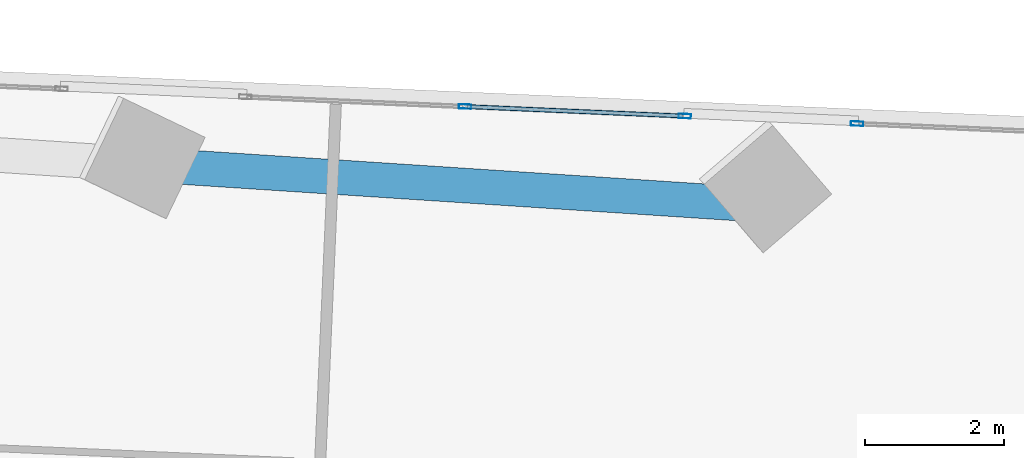
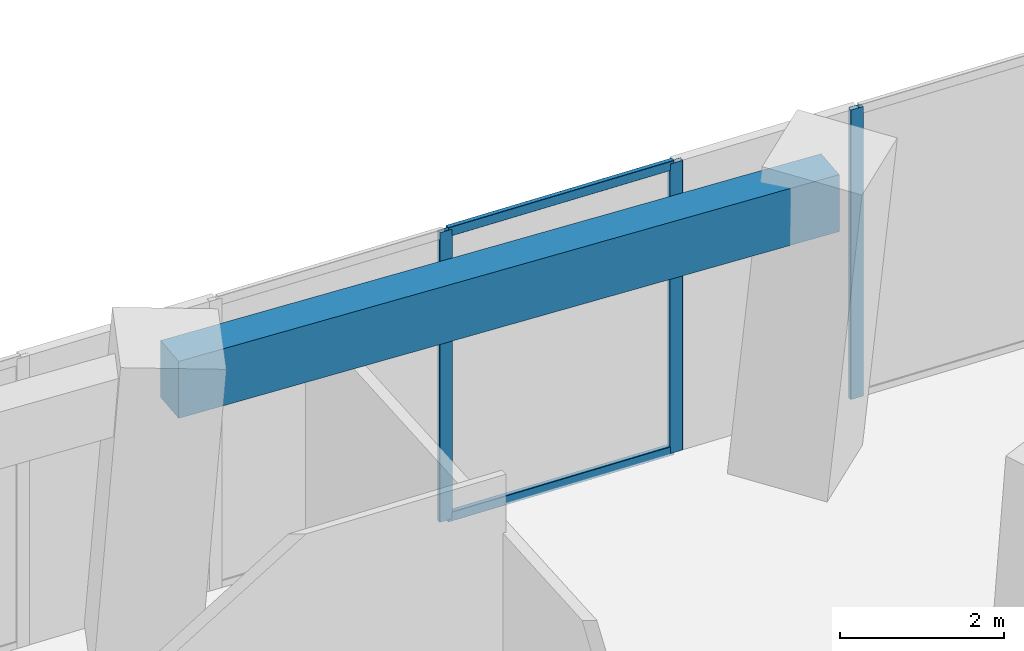
# One storey, part 18 of 27: 5 members, 1 beam, 2 elements without a shape of their own.
"""IFC4 building model written with IfcOpenShell, lengths in metres."""

from ifc_helpers import new_model, si_unit, direction, frame, origin, origin_2d, place, context, subcontext, project, spatial, rectangle, hollow_rectangle, extrude, source, transform, mapped, material, material_profile, profile_set, type_object, element, aggregate, save


model = new_model("IFC4")

# Units and contexts
model_context = context("Model", 3, precision=1e-05, world=origin(), true_north=direction((0.0, 1.0)))
body_context = subcontext(model_context, "Body", "Model", "MODEL_VIEW")
ifc_project = project(units=[si_unit("LENGTHUNIT", "METRE"), si_unit("AREAUNIT", "SQUARE_METRE"), si_unit("VOLUMEUNIT", "CUBIC_METRE"), si_unit("PLANEANGLEUNIT", "RADIAN"), si_unit("MASSUNIT", "GRAM", prefix="KILO")], contexts=[model_context])

# Site, building, storey
site_placement = place(None, origin())
site = spatial("IfcSite", under=ifc_project, at=site_placement, CompositionType="ELEMENT")
building_placement = place(site_placement, origin())
building = spatial("IfcBuilding", under=site, at=building_placement, Name="Torre Montelarca", CompositionType="ELEMENT")
storey_placement = place(building_placement, frame((0.0, 0.0, 37.60009765625)))
storey = spatial("IfcBuildingStorey", under=building, at=storey_placement, Name="L08", CompositionType="ELEMENT", Elevation=37.60009765625)

# Beam
ifc_material_1 = material(Name="Concrete C55/67", Category="concrete")
ifc_material_profile_1 = material_profile(ifc_material_1, rectangle(XDim=0.5, YDim=0.85009765625, at=origin_2d()), Name="RCB500X850", Category="concrete")
ifc_profile_set_1 = profile_set([ifc_material_profile_1], Name="Concrete C55/67")
beam_type = type_object("IfcBeamType", Name="BM-SP-RC850-EXT", PredefinedType="SPANDREL", material=ifc_profile_set_1)
shared_shape_1 = source(origin(), body_context, "Body", "SweptSolid", [
    extrude(rectangle(XDim=0.5, YDim=0.85009765625, at=origin_2d()), origin(), (0.0, 0.0, 1.0), 9.0),
])
beam_placement = place(storey_placement, frame((27.97900390625, 46.7578125, 4.135009765625), z_axis=(0.99785895206, -0.065402689504, 0.0), x_axis=(0.065402689504, 0.99785895206, 0.0)))
element("IfcBeam", 1, at=beam_placement, inside=storey, type_object=beam_type, Name="L08 Grid Girder X 27.0-36.0 at Y=47.1", PredefinedType="SPANDREL", context=body_context, shape_type="MappedRepresentation", body=[
    mapped(shared_shape_1, transform((0.0, 0.0, 0.0), scale=1.0)),
])

# Curtain wall, member
ifc_material_2 = material(Name="Insulated low-E laminated glass", Category="glass")
curtain_wall_type = type_object("IfcCurtainWallType", Name="CW-SYS-Z1", PredefinedType="USERDEFINED", material=ifc_material_2)
curtain_wall_1_placement = place(storey_placement, origin())
curtain_wall_1 = element("IfcCurtainWall", 2, at=curtain_wall_1_placement, inside=storey, type_object=curtain_wall_type, Name="L08 Curtain Wall Run CW-T3-L08-E08-B1", ObjectType="UNITISED GLAZING", PredefinedType="USERDEFINED")
ifc_material_3 = material(Name="Anodised aluminium AA 6063-T6", Category="aluminium")
ifc_material_profile_2 = material_profile(ifc_material_3, hollow_rectangle(XDim=0.06494140625, YDim=0.179931640625, WallThickness=0.00390625, InnerFilletRadius=0.00390625, OuterFilletRadius=0.008056640625, at=origin_2d()), Name="ALU65X180X4", Category="aluminium")
ifc_profile_set_2 = profile_set([ifc_material_profile_2], Name="Anodised aluminium AA 6063-T6")
member_type_1 = type_object("IfcMemberType", Name="CWM-ALU180", PredefinedType="MULLION", material=ifc_profile_set_2)
shared_shape_2 = source(origin(), body_context, "Body", "SweptSolid", [
    extrude(hollow_rectangle(XDim=0.06494140625, YDim=0.179931640625, WallThickness=0.00390625, InnerFilletRadius=0.00390625, OuterFilletRadius=0.008056640625, at=origin_2d()), origin(), (0.0, 0.0, 1.0), 4.31982421875),
])
member_1_placement = place(storey_placement, frame((38.011962890625, 47.364501953125, 0.0), z_axis=(0.0, 0.0, 1.0), x_axis=(-0.043617607028, -0.999048299311, 0.0)))
member_1 = element("IfcMember", 3, at=member_1_placement, type_object=member_type_1, Name="CW mullion 3", PredefinedType="MULLION", context=body_context, shape_type="MappedRepresentation", body=[
    mapped(shared_shape_2, transform((0.0, 0.0, 0.0), scale=1.0)),
])
aggregate(curtain_wall_1, [member_1])

# Curtain wall, members
curtain_wall_2_placement = place(storey_placement, origin())
curtain_wall_2 = element("IfcCurtainWall", 4, at=curtain_wall_2_placement, inside=storey, type_object=curtain_wall_type, Name="L08 Curtain Wall Run CW-T3-L08-E08-B2", ObjectType="UNITISED GLAZING", PredefinedType="USERDEFINED")
member_2_placement = place(storey_placement, frame((35.525634765625, 47.472900390625, 0.0), z_axis=(0.0, 0.0, 1.0), x_axis=(-0.043614580368, -0.999048431448, 0.0)))
member_2 = element("IfcMember", 5, at=member_2_placement, type_object=member_type_1, Name="CW mullion 1", PredefinedType="MULLION", context=body_context, shape_type="MappedRepresentation", body=[
    mapped(shared_shape_2, transform((0.0, 0.0, 0.0), scale=1.0)),
])
member_3_placement = place(storey_placement, frame((32.35595703125, 47.611328125, 0.0), z_axis=(0.0, 0.0, 1.0), x_axis=(-0.043614580368, -0.999048431448, 0.0)))
member_3 = element("IfcMember", 6, at=member_3_placement, type_object=member_type_1, Name="CW mullion 2", PredefinedType="MULLION", context=body_context, shape_type="MappedRepresentation", body=[
    mapped(shared_shape_2, transform((0.0, 0.0, 0.0), scale=1.0)),
])
ifc_material_profile_3 = material_profile(ifc_material_3, hollow_rectangle(XDim=0.06494140625, YDim=0.139892578125, WallThickness=0.00390625, InnerFilletRadius=0.00390625, OuterFilletRadius=0.008056640625, at=origin_2d()), Name="ALU65X140X4", Category="aluminium")
ifc_profile_set_3 = profile_set([ifc_material_profile_3], Name="Anodised aluminium AA 6063-T6")
member_type_2 = type_object("IfcMemberType", Name="CWT-ALU140", PredefinedType="USERDEFINED", material=ifc_profile_set_3)
shared_shape_3 = source(origin(), body_context, "Body", "SweptSolid", [
    extrude(hollow_rectangle(XDim=0.06494140625, YDim=0.139892578125, WallThickness=0.00390625, InnerFilletRadius=0.00390625, OuterFilletRadius=0.008056640625, at=origin_2d()), origin(), (0.0, 0.0, 1.0), 3.107666015625),
])
member_4_placement = place(storey_placement, frame((35.4931640625, 47.474365234375, 0.032470703125), z_axis=(-0.999049030074, 0.043600865903, 0.0), x_axis=(-0.043600865903, -0.999049030074, 0.0)))
member_4 = element("IfcMember", 7, at=member_4_placement, type_object=member_type_2, Name="CW transom 1.1", ObjectType="TRANSOM", PredefinedType="USERDEFINED", context=body_context, shape_type="MappedRepresentation", body=[
    mapped(shared_shape_3, transform((0.0, 0.0, 0.0), scale=1.0)),
])
member_5_placement = place(storey_placement, frame((35.4931640625, 47.474365234375, 4.287353515625), z_axis=(-0.999049030074, 0.043600865903, 0.0), x_axis=(-0.043600865903, -0.999049030074, 0.0)))
member_5 = element("IfcMember", 8, at=member_5_placement, type_object=member_type_2, Name="CW transom 1.2", ObjectType="TRANSOM", PredefinedType="USERDEFINED", context=body_context, shape_type="MappedRepresentation", body=[
    mapped(shared_shape_3, transform((0.0, 0.0, 0.0), scale=1.0)),
])
aggregate(curtain_wall_2, [member_2, member_3, member_4, member_5])

save(model, "model.ifc")
